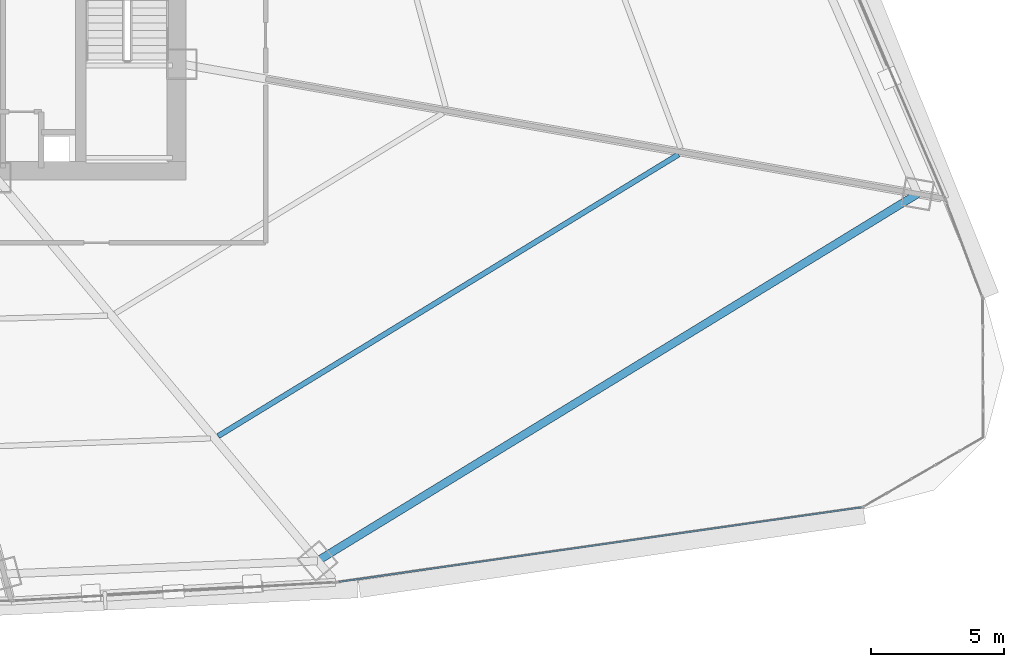
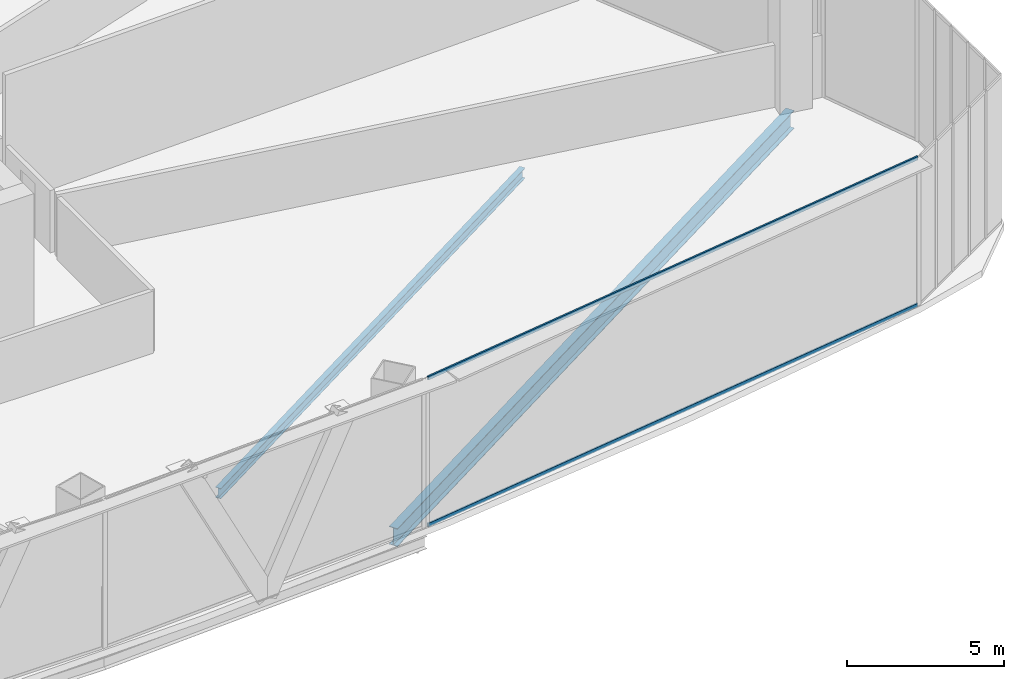
# One storey, part 21 of 41: 2 beams, 2 members, 1 element without a shape of its own.
"""IFC4 building model written with IfcOpenShell, lengths in metres."""

from ifc_helpers import new_model, si_unit, direction, frame, origin, origin_2d, place, context, subcontext, project, spatial, hollow_rectangle, i_section, extrude, source, transform, mapped, material, layer, layer_set, material_profile, profile_set, type_object, element, aggregate, save


model = new_model("IFC4")

# Units and contexts
model_context = context("Model", 3, precision=1e-05, world=origin(), true_north=direction((0.0, 1.0)))
body_context = subcontext(model_context, "Body", "Model", "MODEL_VIEW")
ifc_project = project(units=[si_unit("LENGTHUNIT", "METRE"), si_unit("AREAUNIT", "SQUARE_METRE"), si_unit("VOLUMEUNIT", "CUBIC_METRE"), si_unit("PLANEANGLEUNIT", "RADIAN"), si_unit("MASSUNIT", "GRAM", prefix="KILO"), si_unit("THERMODYNAMICTEMPERATUREUNIT", "KELVIN"), si_unit("POWERUNIT", "WATT")], contexts=[model_context])

# Site, building, storey
site_placement = place(None, origin())
site = spatial("IfcSite", under=ifc_project, at=site_placement, CompositionType="ELEMENT")
building_placement = place(site_placement, origin())
building = spatial("IfcBuilding", under=site, at=building_placement, Name="Yunzhuo Pagoda Commons", CompositionType="ELEMENT")
storey_placement = place(building_placement, frame((0.0, 0.0, 70.330078125)))
storey = spatial("IfcBuildingStorey", under=building, at=storey_placement, Name="L18", CompositionType="ELEMENT", Elevation=70.330078125)

# Beams
ifc_material_1 = material(Name="Structural steel Q355B", Category="steel")
ifc_material_profile_1 = material_profile(ifc_material_1, i_section(OverallWidth=0.300048828125, OverallDepth=0.699951171875, WebThickness=0.012939453125, FlangeThickness=0.02392578125, at=origin_2d()), Name="Structural steel Q355B")
ifc_profile_set_1 = profile_set([ifc_material_profile_1], Name="Structural steel Q355B")
beam_type_1 = type_object("IfcBeamType", Name="B-RG1 Beam HN 700x300x13x24", PredefinedType="BEAM", material=ifc_profile_set_1)
shared_shape_1 = source(origin(), body_context, "Body", "SweptSolid", [
    extrude(i_section(OverallWidth=0.300048828125, OverallDepth=0.699951171875, WebThickness=0.012939453125, FlangeThickness=0.02392578125, at=origin_2d()), origin(), (0.0, 0.0, 1.0), 26.432373046875),
])
beam_1_placement = place(storey_placement, frame((65.5, 12.844482421875, -0.610107421875), z_axis=(0.853031728928, 0.521859051318, 0.0), x_axis=(-0.521859051318, 0.853031728928, 0.0)))
element("IfcBeam", 1, at=beam_1_placement, inside=storey, type_object=beam_type_1, Name="L18 column-ring beam 4", PredefinedType="BEAM", context=body_context, shape_type="MappedRepresentation", body=[
    mapped(shared_shape_1, transform((0.0, 0.0, 0.0), scale=1.0)),
])
ifc_material_profile_2 = material_profile(ifc_material_1, i_section(OverallWidth=0.199951171875, OverallDepth=0.39990234375, WebThickness=0.008056640625, FlangeThickness=0.012939453125, at=origin_2d()), Name="Structural steel Q355B")
ifc_profile_set_2 = profile_set([ifc_material_profile_2], Name="Structural steel Q355B")
beam_type_2 = type_object("IfcBeamType", Name="B-JS1 Joist HN 400x200x8x13", PredefinedType="JOIST", material=ifc_profile_set_2)
shared_shape_2 = source(origin(), body_context, "Body", "SweptSolid", [
    extrude(i_section(OverallWidth=0.199951171875, OverallDepth=0.39990234375, WebThickness=0.008056640625, FlangeThickness=0.012939453125, at=origin_2d()), origin(), (0.0, 0.0, 1.0), 20.275634765625),
])
beam_2_placement = place(storey_placement, frame((61.767578125, 17.537109375, -0.4599609375), z_axis=(0.853102898066, 0.521742700295, 0.0), x_axis=(-0.521742700295, 0.853102898066, 0.0)))
element("IfcBeam", 2, at=beam_2_placement, inside=storey, type_object=beam_type_2, Name="L18 composite ring joist 2.4", PredefinedType="JOIST", context=body_context, shape_type="MappedRepresentation", body=[
    mapped(shared_shape_2, transform((0.0, 0.0, 0.0), scale=1.0)),
])

# Curtain wall, members
ifc_material_2 = material(Name="Anodized aluminium 6063-T6", Category="aluminium")
ifc_layer = layer(ifc_material_2, 0.1650390625)
ifc_layer_set = layer_set([ifc_layer], Name="Anodized aluminium 6063-T6")
curtain_wall_type = type_object("IfcCurtainWallType", Name="CW-LOW Low-Zone Ribbon Curtain Wall", PredefinedType="NOTDEFINED", material=ifc_layer_set)
curtain_wall_placement = place(storey_placement, origin())
curtain_wall = element("IfcCurtainWall", 3, at=curtain_wall_placement, inside=storey, type_object=curtain_wall_type, Name="L18 curtain wall CW-L18-F1B5", PredefinedType="NOTDEFINED")
ifc_material_profile_3 = material_profile(ifc_material_2, hollow_rectangle(XDim=0.06005859375, YDim=0.139892578125, WallThickness=0.00341796875, at=origin_2d()), Name="Anodized aluminium 6063-T6")
ifc_profile_set_3 = profile_set([ifc_material_profile_3], Name="Anodized aluminium 6063-T6")
member_type = type_object("IfcMemberType", Name="CW-LOW-T Transom RHS 140x60x3.5", PredefinedType="USERDEFINED", material=ifc_profile_set_3)
shared_shape_3 = source(origin(), body_context, "Body", "SweptSolid", [
    extrude(hollow_rectangle(XDim=0.06005859375, YDim=0.139892578125, WallThickness=0.00341796875, at=origin_2d()), origin(), (0.0, 0.0, 1.0), 19.814697265625),
])
member_1_placement = place(storey_placement, frame((66.3134765625, 12.06005859375, 0.030029296875), z_axis=(0.989991588028, 0.141126381775, 0.0), x_axis=(-0.141126381775, 0.989991588028, 0.0)))
member_1 = element("IfcMember", 4, at=member_1_placement, type_object=member_type, Name="CW transom 1.1", ObjectType="TRANSOM", PredefinedType="USERDEFINED", context=body_context, shape_type="MappedRepresentation", body=[
    mapped(shared_shape_3, transform((0.0, 0.0, 0.0), scale=1.0)),
])
member_2_placement = place(storey_placement, frame((66.3134765625, 12.06005859375, 5.739990234375), z_axis=(0.989991588028, 0.141126381775, 0.0), x_axis=(-0.141126381775, 0.989991588028, 0.0)))
member_2 = element("IfcMember", 5, at=member_2_placement, type_object=member_type, Name="CW transom 1.2", ObjectType="TRANSOM", PredefinedType="USERDEFINED", context=body_context, shape_type="MappedRepresentation", body=[
    mapped(shared_shape_3, transform((0.0, 0.0, 0.0), scale=1.0)),
])
aggregate(curtain_wall, [member_1, member_2])

save(model, "model.ifc")
